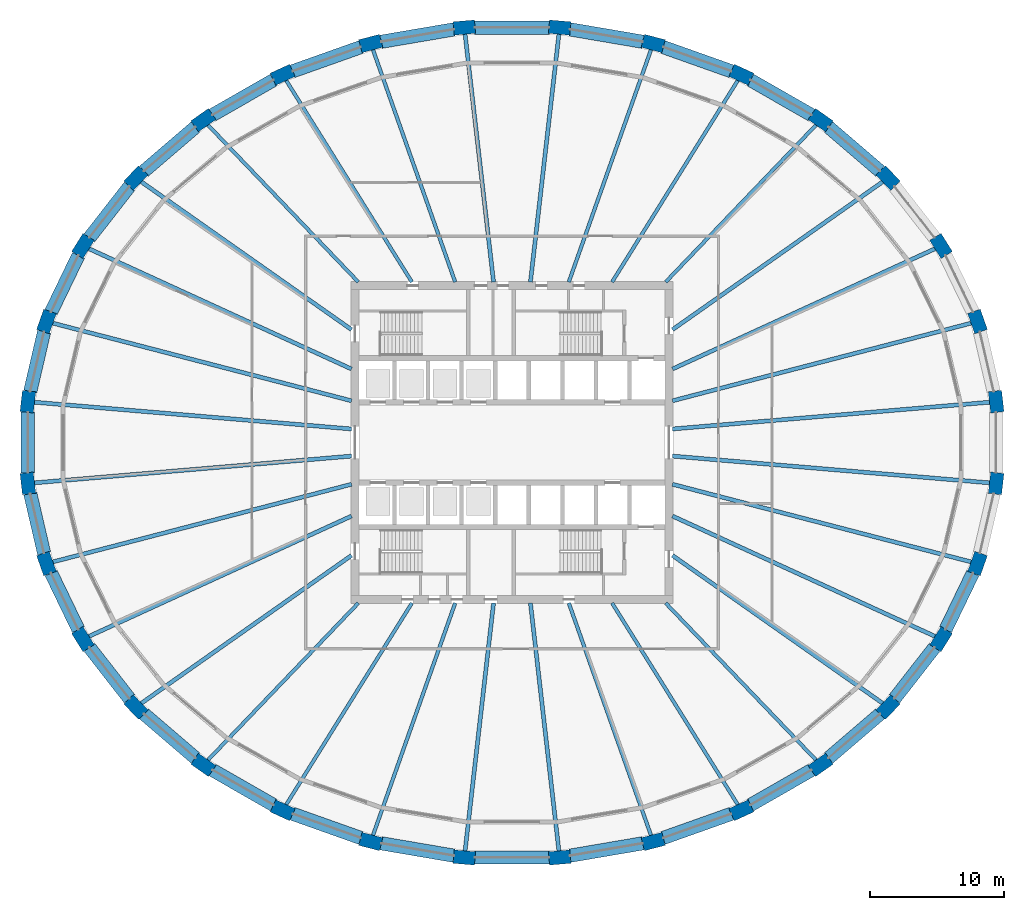
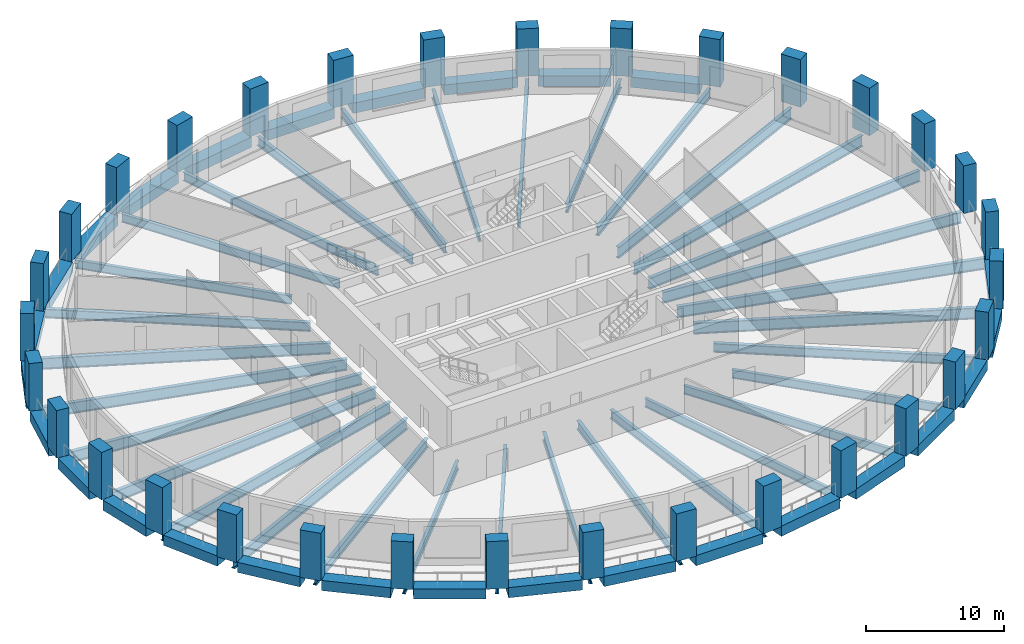
# One storey, part 1 of 10: 59 beams, 32 columns.
"""IFC4 building model written with IfcOpenShell, lengths in metres."""

from ifc_helpers import new_model, si_unit, direction, frame, origin, origin_2d, place, context, subcontext, project, spatial, rectangle, i_section, extrude, material, material_profile, profile_set, type_object, element, save


model = new_model("IFC4")

# Units and contexts
model_context = context("Model", 3, precision=1e-05, world=origin(), true_north=direction((0.0, 1.0)))
body_context = subcontext(model_context, "Body", "Model", "MODEL_VIEW")
ifc_project = project(units=[si_unit("LENGTHUNIT", "METRE"), si_unit("AREAUNIT", "SQUARE_METRE"), si_unit("VOLUMEUNIT", "CUBIC_METRE"), si_unit("PLANEANGLEUNIT", "RADIAN"), si_unit("MASSUNIT", "GRAM", prefix="KILO")], contexts=[model_context])

# Site, building, storey
site_placement = place(None, origin())
site = spatial("IfcSite", under=ifc_project, at=site_placement, CompositionType="ELEMENT")
building_placement = place(site_placement, origin())
building = spatial("IfcBuilding", under=site, at=building_placement, Name="Halqa Exchange Tower", CompositionType="ELEMENT")
storey_placement = place(building_placement, frame((0.0, 0.0, 90.699951171875)))
storey = spatial("IfcBuildingStorey", under=building, at=storey_placement, Name="L20", CompositionType="ELEMENT", Elevation=90.699951171875)

# Columns
ifc_material_1 = material(Name="Concrete C70/85", Category="concrete")
ifc_material_profile_1 = material_profile(ifc_material_1, rectangle(XDim=1.60009765625, YDim=1.0, at=origin_2d()), Name="1600 x 1000")
ifc_profile_set_1 = profile_set([ifc_material_profile_1], Name="Concrete C70/85")
column_type = type_object("IfcColumnType", Name="RC ring column 1600 x 1000 C70/85", PredefinedType="COLUMN", material=ifc_profile_set_1)
for number, where, z_axis, x_axis, name in (
    (1, (36.11474609375, 3.048828125, 0.0), (0.0, 0.0, 1.0), (-0.114156921978, 0.993462730637, 0.0), "Ring column 1"),
    (2, (34.726806640625, 9.029296875, 0.0), (0.0, 0.0, 1.0), (-0.333630814899, 0.942703813162, 0.0), "Ring column 2"),
    (3, (32.00439453125, 14.662841796875, 0.0), (0.0, 0.0, 1.0), (-0.529140496257, 0.848534227489, 0.0), "Ring column 3"),
    (4, (28.05224609375, 19.73291015625, 0.0), (0.0, 0.0, 1.0), (-0.691576091297, 0.722303613411, 0.0), "Ring column 4"),
    (5, (23.021728515625, 24.044677734375, 0.0), (0.0, 0.0, 1.0), (-0.817908788019, 0.57534790734, 0.0), "Ring column 5"),
    (6, (17.106689453125, 27.432373046875, 0.0), (0.0, 0.0, 1.0), (-0.909126368869, 0.416520402174, 0.0), "Ring column 6"),
    (7, (10.5341796875, 29.765869140625, 0.0), (0.0, 0.0, 1.0), (-0.967819942774, 0.251643713153, 0.0), "Ring column 7"),
    (8, (3.556884765625, 30.95556640625, 0.0), (0.0, 0.0, 1.0), (-0.996455518985, 0.084121333105, 0.0), "Ring column 8"),
    (9, (-3.556884765625, 30.95556640625, 0.0), (0.0, 0.0, 1.0), (-0.996455518985, -0.084121333105, 0.0), "Ring column 9"),
    (10, (-10.5341796875, 29.765869140625, 0.0), (0.0, 0.0, 1.0), (-0.967819942774, -0.251643713153, 0.0), "Ring column 10"),
    (11, (-17.106689453125, 27.432373046875, 0.0), (0.0, 0.0, 1.0), (-0.909126368869, -0.416520402174, 0.0), "Ring column 11"),
    (12, (-23.021728515625, 24.044677734375, 0.0), (0.0, 0.0, 1.0), (-0.817908788019, -0.57534790734, 0.0), "Ring column 12"),
    (13, (-28.05224609375, 19.73291015625, 0.0), (0.0, 0.0, 1.0), (-0.691576091297, -0.722303613411, 0.0), "Ring column 13"),
    (14, (-32.00439453125, 14.662841796875, 0.0), (0.0, 0.0, 1.0), (-0.529140496257, -0.848534227489, 0.0), "Ring column 14"),
    (15, (-34.726806640625, 9.029296875, 0.0), (0.0, 0.0, 1.0), (-0.333630814899, -0.942703813162, 0.0), "Ring column 15"),
    (16, (-36.11474609375, 3.048828125, 0.0), (0.0, 0.0, 1.0), (-0.114156921978, -0.993462730637, 0.0), "Ring column 16"),
    (17, (-36.11474609375, -3.048828125, 0.0), (0.0, 0.0, 1.0), (0.114156921978, -0.993462730637, 0.0), "Ring column 17"),
    (18, (-34.726806640625, -9.029296875, 0.0), (0.0, 0.0, 1.0), (0.333630814899, -0.942703813162, 0.0), "Ring column 18"),
    (19, (-32.00439453125, -14.662841796875, 0.0), (0.0, 0.0, 1.0), (0.529140496257, -0.848534227489, 0.0), "Ring column 19"),
    (20, (-28.05224609375, -19.73291015625, 0.0), (0.0, 0.0, 1.0), (0.691576091297, -0.722303613411, 0.0), "Ring column 20"),
    (21, (-23.021728515625, -24.044677734375, 0.0), (0.0, 0.0, 1.0), (0.817908788019, -0.57534790734, 0.0), "Ring column 21"),
    (22, (-17.106689453125, -27.432373046875, 0.0), (0.0, 0.0, 1.0), (0.909126368869, -0.416520402174, 0.0), "Ring column 22"),
    (23, (-10.5341796875, -29.765869140625, 0.0), (0.0, 0.0, 1.0), (0.967819942774, -0.251643713153, 0.0), "Ring column 23"),
    (24, (-3.556884765625, -30.95556640625, 0.0), (0.0, 0.0, 1.0), (0.996455518985, -0.084121333105, 0.0), "Ring column 24"),
    (25, (3.556884765625, -30.95556640625, 0.0), (0.0, 0.0, 1.0), (0.996455518985, 0.084121333105, 0.0), "Ring column 25"),
    (26, (10.5341796875, -29.765869140625, 0.0), (0.0, 0.0, 1.0), (0.967819942774, 0.251643713153, 0.0), "Ring column 26"),
    (27, (17.106689453125, -27.432373046875, 0.0), (0.0, 0.0, 1.0), (0.909126368869, 0.416520402174, 0.0), "Ring column 27"),
    (28, (23.021728515625, -24.044677734375, 0.0), (0.0, 0.0, 1.0), (0.817908788019, 0.57534790734, 0.0), "Ring column 28"),
    (29, (28.05224609375, -19.73291015625, 0.0), (0.0, 0.0, 1.0), (0.691576091297, 0.722303613411, 0.0), "Ring column 29"),
    (30, (32.00439453125, -14.662841796875, 0.0), (0.0, 0.0, 1.0), (0.529140496257, 0.848534227489, 0.0), "Ring column 30"),
    (31, (34.726806640625, -9.029296875, 0.0), (0.0, 0.0, 1.0), (0.333630814899, 0.942703813162, 0.0), "Ring column 31"),
    (32, (36.11474609375, -3.048828125, 0.0), (0.0, 0.0, 1.0), (0.114156921978, 0.993462730637, 0.0), "Ring column 32"),
):
    element("IfcColumn", number, at=place(storey_placement, frame(where, z_axis=z_axis, x_axis=x_axis)), inside=storey, type_object=column_type, Name=name, PredefinedType="COLUMN", context=body_context, shape_type="SweptSolid", body=[
        extrude(rectangle(XDim=1.60009765625, YDim=1.0, at=origin_2d()), origin(), (0.0, 0.0, 1.0), 4.199951171875),
    ])

# Beams
ifc_material_2 = material(Name="Steel S355", Category="steel")
ifc_material_profile_2 = material_profile(ifc_material_2, i_section(OverallWidth=0.300048828125, OverallDepth=0.989990234375, WebThickness=0.0166015625, FlangeThickness=0.031005859375, FilletRadius=0.030029296875, at=origin_2d()), Name="HEA 1000")
ifc_profile_set_2 = profile_set([ifc_material_profile_2], Name="Steel S355")
beam_type_1 = type_object("IfcBeamType", Name="Floor beam HEA 1000", PredefinedType="BEAM", material=ifc_profile_set_2)
beam_1_placement = place(storey_placement, frame((11.972412109375, 1.0107421875, -0.794921875), z_axis=(0.996455472254, 0.084121886657, 0.0), x_axis=(-0.084121886657, 0.996455472254, 0.0)))
element("IfcBeam", 33, at=beam_1_placement, inside=storey, type_object=beam_type_1, Name="Radial beam 1", PredefinedType="BEAM", context=body_context, shape_type="SweptSolid", body=[
    extrude(i_section(OverallWidth=0.300048828125, OverallDepth=0.989990234375, WebThickness=0.0166015625, FlangeThickness=0.031005859375, FilletRadius=0.030029296875, at=origin_2d()), origin(), (0.0, 0.0, 1.0), 23.856201171875),
])
beam_2_placement = place(storey_placement, frame((11.97119140625, 3.11279296875, -0.794921875), z_axis=(0.967821221956, 0.251638793376, 0.0), x_axis=(-0.251638793376, 0.967821221956, 0.0)))
element("IfcBeam", 34, at=beam_2_placement, inside=storey, type_object=beam_type_1, Name="Radial beam 2", PredefinedType="BEAM", context=body_context, shape_type="SweptSolid", body=[
    extrude(i_section(OverallWidth=0.300048828125, OverallDepth=0.989990234375, WebThickness=0.0166015625, FlangeThickness=0.031005859375, FilletRadius=0.030029296875, at=origin_2d()), origin(), (0.0, 0.0, 1.0), 23.138427734375),
])
for number, where, z_axis, x_axis, name in (
    (35, (11.972412109375, 5.485107421875, -0.794921875), (0.909124765465, 0.416523901857, 0.0), (-0.416523901857, 0.909124765465, 0.0), "Radial beam 3"),
    (36, (-11.972412109375, 5.485107421875, -0.794921875), (-0.909124765465, 0.416523901857, 0.0), (-0.416523901857, -0.909124765465, 0.0), "Radial beam 14"),
):
    element("IfcBeam", number, at=place(storey_placement, frame(where, z_axis=z_axis, x_axis=x_axis)), inside=storey, type_object=beam_type_1, Name=name, PredefinedType="BEAM", context=body_context, shape_type="SweptSolid", body=[
        extrude(i_section(OverallWidth=0.300048828125, OverallDepth=0.989990234375, WebThickness=0.0166015625, FlangeThickness=0.031005859375, FilletRadius=0.030029296875, at=origin_2d()), origin(), (0.0, 0.0, 1.0), 21.658447265625),
    ])
beam_3_placement = place(storey_placement, frame((-11.97119140625, 3.11279296875, -0.794921875), z_axis=(-0.967821221956, 0.251638793376, 0.0), x_axis=(-0.251638793376, -0.967821221956, 0.0)))
element("IfcBeam", 37, at=beam_3_placement, inside=storey, type_object=beam_type_1, Name="Radial beam 15", PredefinedType="BEAM", context=body_context, shape_type="SweptSolid", body=[
    extrude(i_section(OverallWidth=0.300048828125, OverallDepth=0.989990234375, WebThickness=0.0166015625, FlangeThickness=0.031005859375, FilletRadius=0.030029296875, at=origin_2d()), origin(), (0.0, 0.0, 1.0), 23.138427734375),
])
for number, where, z_axis, x_axis, name in (
    (38, (-11.972412109375, 1.0107421875, -0.794921875), (-0.996455472254, 0.084121886657, 0.0), (-0.084121886657, -0.996455472254, 0.0), "Radial beam 16"),
    (39, (-11.972412109375, -1.0107421875, -0.794921875), (-0.996455472254, -0.084121886657, 0.0), (0.084121886657, -0.996455472254, 0.0), "Radial beam 17"),
):
    element("IfcBeam", number, at=place(storey_placement, frame(where, z_axis=z_axis, x_axis=x_axis)), inside=storey, type_object=beam_type_1, Name=name, PredefinedType="BEAM", context=body_context, shape_type="SweptSolid", body=[
        extrude(i_section(OverallWidth=0.300048828125, OverallDepth=0.989990234375, WebThickness=0.0166015625, FlangeThickness=0.031005859375, FilletRadius=0.030029296875, at=origin_2d()), origin(), (0.0, 0.0, 1.0), 23.856201171875),
    ])
beam_4_placement = place(storey_placement, frame((-11.97119140625, -3.11279296875, -0.794921875), z_axis=(-0.967821221956, -0.251638793376, 0.0), x_axis=(0.251638793376, -0.967821221956, 0.0)))
element("IfcBeam", 40, at=beam_4_placement, inside=storey, type_object=beam_type_1, Name="Radial beam 18", PredefinedType="BEAM", context=body_context, shape_type="SweptSolid", body=[
    extrude(i_section(OverallWidth=0.300048828125, OverallDepth=0.989990234375, WebThickness=0.0166015625, FlangeThickness=0.031005859375, FilletRadius=0.030029296875, at=origin_2d()), origin(), (0.0, 0.0, 1.0), 23.138427734375),
])
for number, where, z_axis, x_axis, name in (
    (41, (-11.972412109375, -5.485107421875, -0.794921875), (-0.909124765465, -0.416523901857, 0.0), (0.416523901857, -0.909124765465, 0.0), "Radial beam 19"),
    (42, (11.972412109375, -5.485107421875, -0.794921875), (0.909124765465, -0.416523901857, 0.0), (0.416523901857, 0.909124765465, 0.0), "Radial beam 30"),
):
    element("IfcBeam", number, at=place(storey_placement, frame(where, z_axis=z_axis, x_axis=x_axis)), inside=storey, type_object=beam_type_1, Name=name, PredefinedType="BEAM", context=body_context, shape_type="SweptSolid", body=[
        extrude(i_section(OverallWidth=0.300048828125, OverallDepth=0.989990234375, WebThickness=0.0166015625, FlangeThickness=0.031005859375, FilletRadius=0.030029296875, at=origin_2d()), origin(), (0.0, 0.0, 1.0), 21.658447265625),
    ])
beam_5_placement = place(storey_placement, frame((11.97119140625, -3.11279296875, -0.794921875), z_axis=(0.967821221956, -0.251638793376, 0.0), x_axis=(0.251638793376, 0.967821221956, 0.0)))
element("IfcBeam", 43, at=beam_5_placement, inside=storey, type_object=beam_type_1, Name="Radial beam 31", PredefinedType="BEAM", context=body_context, shape_type="SweptSolid", body=[
    extrude(i_section(OverallWidth=0.300048828125, OverallDepth=0.989990234375, WebThickness=0.0166015625, FlangeThickness=0.031005859375, FilletRadius=0.030029296875, at=origin_2d()), origin(), (0.0, 0.0, 1.0), 23.138427734375),
])
beam_6_placement = place(storey_placement, frame((11.972412109375, -1.0107421875, -0.794921875), z_axis=(0.996455472254, -0.084121886657, 0.0), x_axis=(0.084121886657, 0.996455472254, 0.0)))
element("IfcBeam", 44, at=beam_6_placement, inside=storey, type_object=beam_type_1, Name="Radial beam 32", PredefinedType="BEAM", context=body_context, shape_type="SweptSolid", body=[
    extrude(i_section(OverallWidth=0.300048828125, OverallDepth=0.989990234375, WebThickness=0.0166015625, FlangeThickness=0.031005859375, FilletRadius=0.030029296875, at=origin_2d()), origin(), (0.0, 0.0, 1.0), 23.856201171875),
])
ifc_material_profile_3 = material_profile(ifc_material_2, i_section(OverallWidth=0.300048828125, OverallDepth=0.7900390625, WebThickness=0.014892578125, FlangeThickness=0.028076171875, FilletRadius=0.030029296875, at=origin_2d()), Name="HEA 800")
ifc_profile_set_3 = profile_set([ifc_material_profile_3], Name="Steel S355")
beam_type_2 = type_object("IfcBeamType", Name="Floor beam HEA 800", PredefinedType="BEAM", material=ifc_profile_set_3)
for number, where, z_axis, x_axis, name in (
    (45, (1.375732421875, 11.972900390625, -0.695068359375), (0.114150759109, 0.993463438781, 0.0), (-0.993463438781, 0.114150759109, 0.0), "Radial beam 8"),
    (46, (-1.375732421875, 11.972900390625, -0.695068359375), (-0.114150759109, 0.993463438781, 0.0), (-0.993463438781, -0.114150759109, 0.0), "Radial beam 9"),
    (47, (-1.375732421875, -11.972900390625, -0.695068359375), (-0.114150759109, -0.993463438781, 0.0), (0.993463438781, -0.114150759109, 0.0), "Radial beam 24"),
    (48, (1.375732421875, -11.972900390625, -0.695068359375), (0.114150759109, -0.993463438781, 0.0), (0.993463438781, 0.114150759109, 0.0), "Radial beam 25"),
):
    element("IfcBeam", number, at=place(storey_placement, frame(where, z_axis=z_axis, x_axis=x_axis)), inside=storey, type_object=beam_type_2, Name=name, PredefinedType="BEAM", context=body_context, shape_type="SweptSolid", body=[
        extrude(i_section(OverallWidth=0.300048828125, OverallDepth=0.7900390625, WebThickness=0.014892578125, FlangeThickness=0.028076171875, FilletRadius=0.030029296875, at=origin_2d()), origin(), (0.0, 0.0, 1.0), 18.735595703125),
    ])
ifc_material_profile_4 = material_profile(ifc_material_2, i_section(OverallWidth=0.300048828125, OverallDepth=0.800048828125, WebThickness=0.017578125, FlangeThickness=0.032958984375, FilletRadius=0.030029296875, at=origin_2d()), Name="HEB 800")
ifc_profile_set_4 = profile_set([ifc_material_profile_4], Name="Steel S355")
beam_type_3 = type_object("IfcBeamType", Name="Floor beam HEB 800", PredefinedType="BEAM", material=ifc_profile_set_4)
for number, where, z_axis, x_axis, name in (
    (49, (11.972412109375, 8.421875, -0.699951171875), (0.817909909025, 0.575346313727, 0.0), (-0.575346313727, 0.817909909025, 0.0), "Radial beam 4"),
    (50, (-11.972412109375, 8.421875, -0.699951171875), (-0.817909909025, 0.575346313727, 0.0), (-0.575346313727, -0.817909909025, 0.0), "Radial beam 13"),
    (51, (-11.972412109375, -8.421875, -0.699951171875), (-0.817909909025, -0.575346313727, 0.0), (0.575346313727, -0.817909909025, 0.0), "Radial beam 20"),
    (52, (11.972412109375, -8.421875, -0.699951171875), (0.817909909025, -0.575346313727, 0.0), (0.575346313727, 0.817909909025, 0.0), "Radial beam 29"),
):
    element("IfcBeam", number, at=place(storey_placement, frame(where, z_axis=z_axis, x_axis=x_axis)), inside=storey, type_object=beam_type_3, Name=name, PredefinedType="BEAM", context=body_context, shape_type="SweptSolid", body=[
        extrude(i_section(OverallWidth=0.300048828125, OverallDepth=0.800048828125, WebThickness=0.017578125, FlangeThickness=0.032958984375, FilletRadius=0.030029296875, at=origin_2d()), origin(), (0.0, 0.0, 1.0), 19.283447265625),
    ])
ifc_material_profile_5 = material_profile(ifc_material_2, i_section(OverallWidth=0.264892578125, OverallDepth=0.7529296875, WebThickness=0.01318359375, FlangeThickness=0.01708984375, FilletRadius=0.01708984375, at=origin_2d()), Name="IPE 750x147")
ifc_profile_set_5 = profile_set([ifc_material_profile_5], Name="Steel S355")
beam_type_4 = type_object("IfcBeamType", Name="Floor beam IPE 750x147", PredefinedType="BEAM", material=ifc_profile_set_5)
beam_7_placement = place(storey_placement, frame((11.462890625, 11.97216796875, -0.676513671875), z_axis=(0.691570669733, 0.722308804297, 0.0), x_axis=(-0.722308804297, 0.691570669733, 0.0)))
element("IfcBeam", 53, at=beam_7_placement, inside=storey, type_object=beam_type_4, Name="Radial beam 5", PredefinedType="BEAM", context=body_context, shape_type="SweptSolid", body=[
    extrude(i_section(OverallWidth=0.264892578125, OverallDepth=0.7529296875, WebThickness=0.01318359375, FlangeThickness=0.01708984375, FilletRadius=0.01708984375, at=origin_2d()), origin(), (0.0, 0.0, 1.0), 16.337890625),
])
for number, where, z_axis, x_axis, name in (
    (54, (7.466064453125, 11.972412109375, -0.676513671875), (0.529136525929, 0.848536703347, 0.0), (-0.848536703347, 0.529136525929, 0.0), "Radial beam 6"),
    (55, (-7.466064453125, 11.972412109375, -0.676513671875), (-0.529136525929, 0.848536703347, 0.0), (-0.848536703347, -0.529136525929, 0.0), "Radial beam 11"),
):
    element("IfcBeam", number, at=place(storey_placement, frame(where, z_axis=z_axis, x_axis=x_axis)), inside=storey, type_object=beam_type_4, Name=name, PredefinedType="BEAM", context=body_context, shape_type="SweptSolid", body=[
        extrude(i_section(OverallWidth=0.264892578125, OverallDepth=0.7529296875, WebThickness=0.01318359375, FlangeThickness=0.01708984375, FilletRadius=0.01708984375, at=origin_2d()), origin(), (0.0, 0.0, 1.0), 17.843505859375),
    ])
for number, where, z_axis, x_axis, name in (
    (56, (-11.462890625, 11.97216796875, -0.676513671875), (-0.691570669733, 0.722308804297, 0.0), (-0.722308804297, -0.691570669733, 0.0), "Radial beam 12"),
    (57, (-11.462890625, -11.97216796875, -0.676513671875), (-0.691570669733, -0.722308804297, 0.0), (0.722308804297, -0.691570669733, 0.0), "Radial beam 21"),
):
    element("IfcBeam", number, at=place(storey_placement, frame(where, z_axis=z_axis, x_axis=x_axis)), inside=storey, type_object=beam_type_4, Name=name, PredefinedType="BEAM", context=body_context, shape_type="SweptSolid", body=[
        extrude(i_section(OverallWidth=0.264892578125, OverallDepth=0.7529296875, WebThickness=0.01318359375, FlangeThickness=0.01708984375, FilletRadius=0.01708984375, at=origin_2d()), origin(), (0.0, 0.0, 1.0), 16.337890625),
    ])
for number, where, z_axis, x_axis, name in (
    (58, (-7.466064453125, -11.972412109375, -0.676513671875), (-0.529136525929, -0.848536703347, 0.0), (0.848536703347, -0.529136525929, 0.0), "Radial beam 22"),
    (59, (7.466064453125, -11.972412109375, -0.676513671875), (0.529136525929, -0.848536703347, 0.0), (0.848536703347, 0.529136525929, 0.0), "Radial beam 27"),
):
    element("IfcBeam", number, at=place(storey_placement, frame(where, z_axis=z_axis, x_axis=x_axis)), inside=storey, type_object=beam_type_4, Name=name, PredefinedType="BEAM", context=body_context, shape_type="SweptSolid", body=[
        extrude(i_section(OverallWidth=0.264892578125, OverallDepth=0.7529296875, WebThickness=0.01318359375, FlangeThickness=0.01708984375, FilletRadius=0.01708984375, at=origin_2d()), origin(), (0.0, 0.0, 1.0), 17.843505859375),
    ])
beam_8_placement = place(storey_placement, frame((11.462890625, -11.97216796875, -0.676513671875), z_axis=(0.691570669733, -0.722308804297, 0.0), x_axis=(0.722308804297, 0.691570669733, 0.0)))
element("IfcBeam", 60, at=beam_8_placement, inside=storey, type_object=beam_type_4, Name="Radial beam 28", PredefinedType="BEAM", context=body_context, shape_type="SweptSolid", body=[
    extrude(i_section(OverallWidth=0.264892578125, OverallDepth=0.7529296875, WebThickness=0.01318359375, FlangeThickness=0.01708984375, FilletRadius=0.01708984375, at=origin_2d()), origin(), (0.0, 0.0, 1.0), 16.337890625),
])
ifc_material_profile_6 = material_profile(ifc_material_2, i_section(OverallWidth=0.26806640625, OverallDepth=0.77001953125, WebThickness=0.015625, FlangeThickness=0.025390625, FilletRadius=0.01708984375, at=origin_2d()), Name="IPE 750x196")
ifc_profile_set_6 = profile_set([ifc_material_profile_6], Name="Steel S355")
beam_type_5 = type_object("IfcBeamType", Name="Floor beam IPE 750x196", PredefinedType="BEAM", material=ifc_profile_set_6)
for number, where, z_axis, x_axis, name in (
    (61, (4.237060546875, 11.972412109375, -0.68505859375), (0.333624839308, 0.942705927952, 0.0), (-0.942705927952, 0.333624839308, 0.0), "Radial beam 7"),
    (62, (-4.237060546875, 11.972412109375, -0.68505859375), (-0.333624839308, 0.942705927952, 0.0), (-0.942705927952, -0.333624839308, 0.0), "Radial beam 10"),
    (63, (-4.237060546875, -11.972412109375, -0.68505859375), (-0.333624839308, -0.942705927952, 0.0), (0.942705927952, -0.333624839308, 0.0), "Radial beam 23"),
    (64, (4.237060546875, -11.972412109375, -0.68505859375), (0.333624839308, -0.942705927952, 0.0), (0.942705927952, 0.333624839308, 0.0), "Radial beam 26"),
):
    element("IfcBeam", number, at=place(storey_placement, frame(where, z_axis=z_axis, x_axis=x_axis)), inside=storey, type_object=beam_type_5, Name=name, PredefinedType="BEAM", context=body_context, shape_type="SweptSolid", body=[
        extrude(i_section(OverallWidth=0.26806640625, OverallDepth=0.77001953125, WebThickness=0.015625, FlangeThickness=0.025390625, FilletRadius=0.01708984375, at=origin_2d()), origin(), (0.0, 0.0, 1.0), 18.5009765625),
    ])
ifc_material_3 = material(Name="Concrete C60/75", Category="concrete")
ifc_material_profile_7 = material_profile(ifc_material_3, rectangle(XDim=1.0, YDim=0.89990234375, at=origin_2d()), Name="1000 x 900")
ifc_profile_set_7 = profile_set([ifc_material_profile_7], Name="Concrete C60/75")
beam_type_6 = type_object("IfcBeamType", Name="RC spandrel beam 1000 x 900 C60/75", PredefinedType="SPANDREL", material=ifc_profile_set_7)
beam_9_placement = place(storey_placement, frame((27.4638671875, 20.2373046875, -0.449951171875), z_axis=(-0.759287164201, 0.650755716286, 0.0), x_axis=(-0.650755716286, -0.759287164201, 0.0)))
element("IfcBeam", 65, at=beam_9_placement, inside=storey, type_object=beam_type_6, Name="Spandrel 4", PredefinedType="SPANDREL", context=body_context, shape_type="SweptSolid", body=[
    extrude(rectangle(XDim=1.0, YDim=0.89990234375, at=origin_2d()), origin(), (0.0, 0.0, 1.0), 5.074951171875),
])
beam_10_placement = place(storey_placement, frame((22.349609375, 24.4296875, -0.449951171875), z_axis=(-0.867743454254, 0.497012371677, 0.0), x_axis=(-0.497012371677, -0.867743454254, 0.0)))
element("IfcBeam", 66, at=beam_10_placement, inside=storey, type_object=beam_type_6, Name="Spandrel 5", PredefinedType="SPANDREL", context=body_context, shape_type="SweptSolid", body=[
    extrude(rectangle(XDim=1.0, YDim=0.89990234375, at=origin_2d()), origin(), (0.0, 0.0, 1.0), 5.266357421875),
])
beam_11_placement = place(storey_placement, frame((16.376708984375, 27.691650390625, -0.449951171875), z_axis=(-0.942369615116, 0.334573621951, 0.0), x_axis=(-0.334573621951, -0.942369615116, 0.0)))
element("IfcBeam", 67, at=beam_11_placement, inside=storey, type_object=beam_type_6, Name="Spandrel 6", PredefinedType="SPANDREL", context=body_context, shape_type="SweptSolid", body=[
    extrude(rectangle(XDim=1.0, YDim=0.89990234375, at=origin_2d()), origin(), (0.0, 0.0, 1.0), 5.423828125),
])
beam_12_placement = place(storey_placement, frame((9.77001953125, 29.896240234375, -0.449951171875), z_axis=(-0.985777143165, 0.168057799621, 0.0), x_axis=(-0.168057799621, -0.985777143165, 0.0)))
element("IfcBeam", 68, at=beam_12_placement, inside=storey, type_object=beam_type_6, Name="Spandrel 7", PredefinedType="SPANDREL", context=body_context, shape_type="SweptSolid", body=[
    extrude(rectangle(XDim=1.0, YDim=0.89990234375, at=origin_2d()), origin(), (0.0, 0.0, 1.0), 5.527587890625),
])
beam_13_placement = place(storey_placement, frame((2.7822265625, 30.95556640625, -0.449951171875), z_axis=(-1.0, 0.0, 0.0), x_axis=(0.0, -1.0, 0.0)))
element("IfcBeam", 69, at=beam_13_placement, inside=storey, type_object=beam_type_6, Name="Spandrel 8", PredefinedType="SPANDREL", context=body_context, shape_type="SweptSolid", body=[
    extrude(rectangle(XDim=1.0, YDim=0.89990234375, at=origin_2d()), origin(), (0.0, 0.0, 1.0), 5.564453125),
])
beam_14_placement = place(storey_placement, frame((-4.321044921875, 30.8251953125, -0.449951171875), z_axis=(-0.985777143165, -0.168057799621, 0.0), x_axis=(0.168057799621, -0.985777143165, 0.0)))
element("IfcBeam", 70, at=beam_14_placement, inside=storey, type_object=beam_type_6, Name="Spandrel 9", PredefinedType="SPANDREL", context=body_context, shape_type="SweptSolid", body=[
    extrude(rectangle(XDim=1.0, YDim=0.89990234375, at=origin_2d()), origin(), (0.0, 0.0, 1.0), 5.527587890625),
])
beam_15_placement = place(storey_placement, frame((-11.265380859375, 29.50634765625, -0.449951171875), z_axis=(-0.942369615116, -0.334573621951, 0.0), x_axis=(0.334573621951, -0.942369615116, 0.0)))
element("IfcBeam", 71, at=beam_15_placement, inside=storey, type_object=beam_type_6, Name="Spandrel 10", PredefinedType="SPANDREL", context=body_context, shape_type="SweptSolid", body=[
    extrude(rectangle(XDim=1.0, YDim=0.89990234375, at=origin_2d()), origin(), (0.0, 0.0, 1.0), 5.423828125),
])
beam_16_placement = place(storey_placement, frame((-17.77978515625, 27.047119140625, -0.449951171875), z_axis=(-0.867743454254, -0.497012371677, 0.0), x_axis=(0.497012371677, -0.867743454254, 0.0)))
element("IfcBeam", 72, at=beam_16_placement, inside=storey, type_object=beam_type_6, Name="Spandrel 11", PredefinedType="SPANDREL", context=body_context, shape_type="SweptSolid", body=[
    extrude(rectangle(XDim=1.0, YDim=0.89990234375, at=origin_2d()), origin(), (0.0, 0.0, 1.0), 5.266357421875),
])
beam_17_placement = place(storey_placement, frame((-23.610595703125, 23.539794921875, -0.449951171875), z_axis=(-0.759287164201, -0.650755716286, 0.0), x_axis=(0.650755716286, -0.759287164201, 0.0)))
element("IfcBeam", 73, at=beam_17_placement, inside=storey, type_object=beam_type_6, Name="Spandrel 12", PredefinedType="SPANDREL", context=body_context, shape_type="SweptSolid", body=[
    extrude(rectangle(XDim=1.0, YDim=0.89990234375, at=origin_2d()), origin(), (0.0, 0.0, 1.0), 5.074951171875),
])
beam_18_placement = place(storey_placement, frame((-28.529296875, 19.120849609375, -0.449951171875), z_axis=(-0.614817026553, -0.788669781252, 0.0), x_axis=(0.788669781252, -0.614817026553, 0.0)))
element("IfcBeam", 74, at=beam_18_placement, inside=storey, type_object=beam_type_6, Name="Spandrel 13", PredefinedType="SPANDREL", context=body_context, shape_type="SweptSolid", body=[
    extrude(rectangle(XDim=1.0, YDim=0.89990234375, at=origin_2d()), origin(), (0.0, 0.0, 1.0), 4.877197265625),
])
beam_19_placement = place(storey_placement, frame((-32.34228515625, 13.963623046875, -0.449951171875), z_axis=(-0.435149722828, -0.900358105824, 0.0), x_axis=(0.900358105824, -0.435149722828, 0.0)))
element("IfcBeam", 75, at=beam_19_placement, inside=storey, type_object=beam_type_6, Name="Spandrel 14", PredefinedType="SPANDREL", context=body_context, shape_type="SweptSolid", body=[
    extrude(rectangle(XDim=1.0, YDim=0.89990234375, at=origin_2d()), origin(), (0.0, 0.0, 1.0), 4.70263671875),
])
beam_20_placement = place(storey_placement, frame((-34.90234375, 8.273193359375, -0.449951171875), z_axis=(-0.226091821928, -0.974105994262, 0.0), x_axis=(0.974105994262, -0.226091821928, 0.0)))
element("IfcBeam", 76, at=beam_20_placement, inside=storey, type_object=beam_type_6, Name="Spandrel 15", PredefinedType="SPANDREL", context=body_context, shape_type="SweptSolid", body=[
    extrude(rectangle(XDim=1.0, YDim=0.89990234375, at=origin_2d()), origin(), (0.0, 0.0, 1.0), 4.5859375),
])
beam_21_placement = place(storey_placement, frame((-36.11474609375, 2.271484375, -0.449951171875), z_axis=(0.0, -1.0, 0.0), x_axis=(1.0, 0.0, 0.0)))
element("IfcBeam", 77, at=beam_21_placement, inside=storey, type_object=beam_type_6, Name="Spandrel 16", PredefinedType="SPANDREL", context=body_context, shape_type="SweptSolid", body=[
    extrude(rectangle(XDim=1.0, YDim=0.89990234375, at=origin_2d()), origin(), (0.0, 0.0, 1.0), 4.54296875),
])
beam_22_placement = place(storey_placement, frame((-35.939208984375, -3.805908203125, -0.449951171875), z_axis=(0.226091821928, -0.974105994262, 0.0), x_axis=(0.974105994262, 0.226091821928, 0.0)))
element("IfcBeam", 78, at=beam_22_placement, inside=storey, type_object=beam_type_6, Name="Spandrel 17", PredefinedType="SPANDREL", context=body_context, shape_type="SweptSolid", body=[
    extrude(rectangle(XDim=1.0, YDim=0.89990234375, at=origin_2d()), origin(), (0.0, 0.0, 1.0), 4.5859375),
])
beam_23_placement = place(storey_placement, frame((-34.388671875, -9.7294921875, -0.449951171875), z_axis=(0.435149722828, -0.900358105824, 0.0), x_axis=(0.900358105824, 0.435149722828, 0.0)))
element("IfcBeam", 79, at=beam_23_placement, inside=storey, type_object=beam_type_6, Name="Spandrel 18", PredefinedType="SPANDREL", context=body_context, shape_type="SweptSolid", body=[
    extrude(rectangle(XDim=1.0, YDim=0.89990234375, at=origin_2d()), origin(), (0.0, 0.0, 1.0), 4.70263671875),
])
beam_24_placement = place(storey_placement, frame((-31.52783203125, -15.2744140625, -0.449951171875), z_axis=(0.614817026553, -0.788669781252, 0.0), x_axis=(0.788669781252, 0.614817026553, 0.0)))
element("IfcBeam", 80, at=beam_24_placement, inside=storey, type_object=beam_type_6, Name="Spandrel 19", PredefinedType="SPANDREL", context=body_context, shape_type="SweptSolid", body=[
    extrude(rectangle(XDim=1.0, YDim=0.89990234375, at=origin_2d()), origin(), (0.0, 0.0, 1.0), 4.877197265625),
])
beam_25_placement = place(storey_placement, frame((-27.4638671875, -20.2373046875, -0.449951171875), z_axis=(0.759287164201, -0.650755716286, 0.0), x_axis=(0.650755716286, 0.759287164201, 0.0)))
element("IfcBeam", 81, at=beam_25_placement, inside=storey, type_object=beam_type_6, Name="Spandrel 20", PredefinedType="SPANDREL", context=body_context, shape_type="SweptSolid", body=[
    extrude(rectangle(XDim=1.0, YDim=0.89990234375, at=origin_2d()), origin(), (0.0, 0.0, 1.0), 5.074951171875),
])
beam_26_placement = place(storey_placement, frame((-22.349609375, -24.4296875, -0.449951171875), z_axis=(0.867743454254, -0.497012371677, 0.0), x_axis=(0.497012371677, 0.867743454254, 0.0)))
element("IfcBeam", 82, at=beam_26_placement, inside=storey, type_object=beam_type_6, Name="Spandrel 21", PredefinedType="SPANDREL", context=body_context, shape_type="SweptSolid", body=[
    extrude(rectangle(XDim=1.0, YDim=0.89990234375, at=origin_2d()), origin(), (0.0, 0.0, 1.0), 5.266357421875),
])
beam_27_placement = place(storey_placement, frame((-16.376708984375, -27.691650390625, -0.449951171875), z_axis=(0.942369615116, -0.334573621951, 0.0), x_axis=(0.334573621951, 0.942369615116, 0.0)))
element("IfcBeam", 83, at=beam_27_placement, inside=storey, type_object=beam_type_6, Name="Spandrel 22", PredefinedType="SPANDREL", context=body_context, shape_type="SweptSolid", body=[
    extrude(rectangle(XDim=1.0, YDim=0.89990234375, at=origin_2d()), origin(), (0.0, 0.0, 1.0), 5.423828125),
])
beam_28_placement = place(storey_placement, frame((-9.77001953125, -29.896240234375, -0.449951171875), z_axis=(0.985777143165, -0.168057799621, 0.0), x_axis=(0.168057799621, 0.985777143165, 0.0)))
element("IfcBeam", 84, at=beam_28_placement, inside=storey, type_object=beam_type_6, Name="Spandrel 23", PredefinedType="SPANDREL", context=body_context, shape_type="SweptSolid", body=[
    extrude(rectangle(XDim=1.0, YDim=0.89990234375, at=origin_2d()), origin(), (0.0, 0.0, 1.0), 5.527587890625),
])
beam_29_placement = place(storey_placement, frame((-2.7822265625, -30.95556640625, -0.449951171875), z_axis=(1.0, 0.0, 0.0), x_axis=(0.0, 1.0, 0.0)))
element("IfcBeam", 85, at=beam_29_placement, inside=storey, type_object=beam_type_6, Name="Spandrel 24", PredefinedType="SPANDREL", context=body_context, shape_type="SweptSolid", body=[
    extrude(rectangle(XDim=1.0, YDim=0.89990234375, at=origin_2d()), origin(), (0.0, 0.0, 1.0), 5.564453125),
])
beam_30_placement = place(storey_placement, frame((4.321044921875, -30.8251953125, -0.449951171875), z_axis=(0.985777143165, 0.168057799621, 0.0), x_axis=(-0.168057799621, 0.985777143165, 0.0)))
element("IfcBeam", 86, at=beam_30_placement, inside=storey, type_object=beam_type_6, Name="Spandrel 25", PredefinedType="SPANDREL", context=body_context, shape_type="SweptSolid", body=[
    extrude(rectangle(XDim=1.0, YDim=0.89990234375, at=origin_2d()), origin(), (0.0, 0.0, 1.0), 5.527587890625),
])
beam_31_placement = place(storey_placement, frame((11.265380859375, -29.50634765625, -0.449951171875), z_axis=(0.942369615116, 0.334573621951, 0.0), x_axis=(-0.334573621951, 0.942369615116, 0.0)))
element("IfcBeam", 87, at=beam_31_placement, inside=storey, type_object=beam_type_6, Name="Spandrel 26", PredefinedType="SPANDREL", context=body_context, shape_type="SweptSolid", body=[
    extrude(rectangle(XDim=1.0, YDim=0.89990234375, at=origin_2d()), origin(), (0.0, 0.0, 1.0), 5.423828125),
])
beam_32_placement = place(storey_placement, frame((17.77978515625, -27.047119140625, -0.449951171875), z_axis=(0.867743454254, 0.497012371677, 0.0), x_axis=(-0.497012371677, 0.867743454254, 0.0)))
element("IfcBeam", 88, at=beam_32_placement, inside=storey, type_object=beam_type_6, Name="Spandrel 27", PredefinedType="SPANDREL", context=body_context, shape_type="SweptSolid", body=[
    extrude(rectangle(XDim=1.0, YDim=0.89990234375, at=origin_2d()), origin(), (0.0, 0.0, 1.0), 5.266357421875),
])
beam_33_placement = place(storey_placement, frame((23.610595703125, -23.539794921875, -0.449951171875), z_axis=(0.759287164201, 0.650755716286, 0.0), x_axis=(-0.650755716286, 0.759287164201, 0.0)))
element("IfcBeam", 89, at=beam_33_placement, inside=storey, type_object=beam_type_6, Name="Spandrel 28", PredefinedType="SPANDREL", context=body_context, shape_type="SweptSolid", body=[
    extrude(rectangle(XDim=1.0, YDim=0.89990234375, at=origin_2d()), origin(), (0.0, 0.0, 1.0), 5.074951171875),
])
beam_34_placement = place(storey_placement, frame((28.529296875, -19.120849609375, -0.449951171875), z_axis=(0.614817026553, 0.788669781252, 0.0), x_axis=(-0.788669781252, 0.614817026553, 0.0)))
element("IfcBeam", 90, at=beam_34_placement, inside=storey, type_object=beam_type_6, Name="Spandrel 29", PredefinedType="SPANDREL", context=body_context, shape_type="SweptSolid", body=[
    extrude(rectangle(XDim=1.0, YDim=0.89990234375, at=origin_2d()), origin(), (0.0, 0.0, 1.0), 4.877197265625),
])
beam_35_placement = place(storey_placement, frame((32.34228515625, -13.963623046875, -0.449951171875), z_axis=(0.435149722828, 0.900358105824, 0.0), x_axis=(-0.900358105824, 0.435149722828, 0.0)))
element("IfcBeam", 91, at=beam_35_placement, inside=storey, type_object=beam_type_6, Name="Spandrel 30", PredefinedType="SPANDREL", context=body_context, shape_type="SweptSolid", body=[
    extrude(rectangle(XDim=1.0, YDim=0.89990234375, at=origin_2d()), origin(), (0.0, 0.0, 1.0), 4.70263671875),
])

save(model, "model.ifc")
